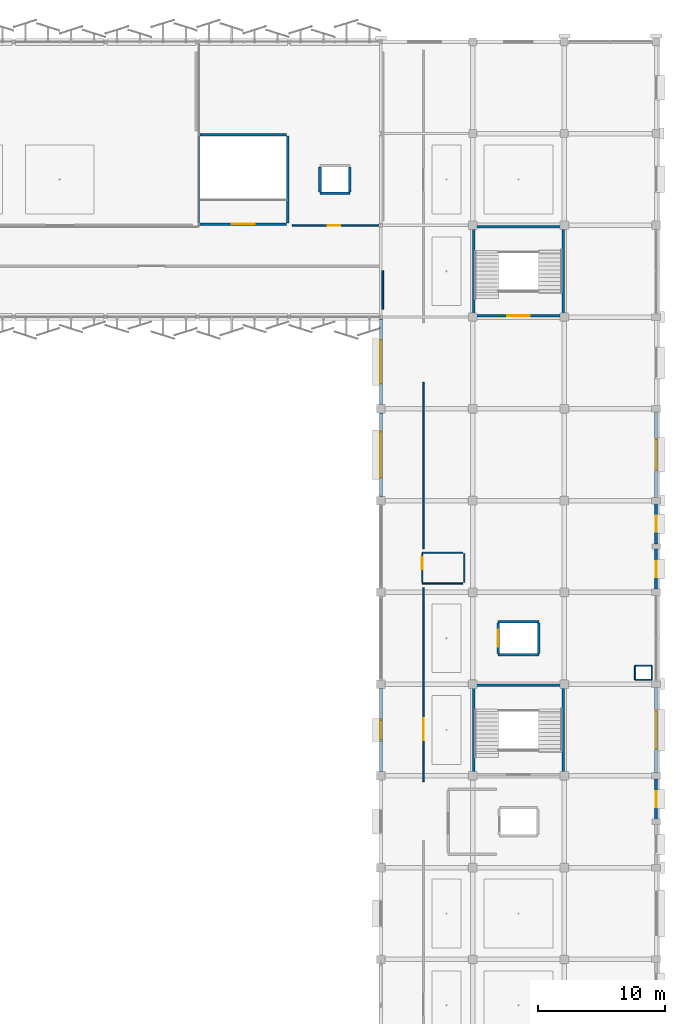
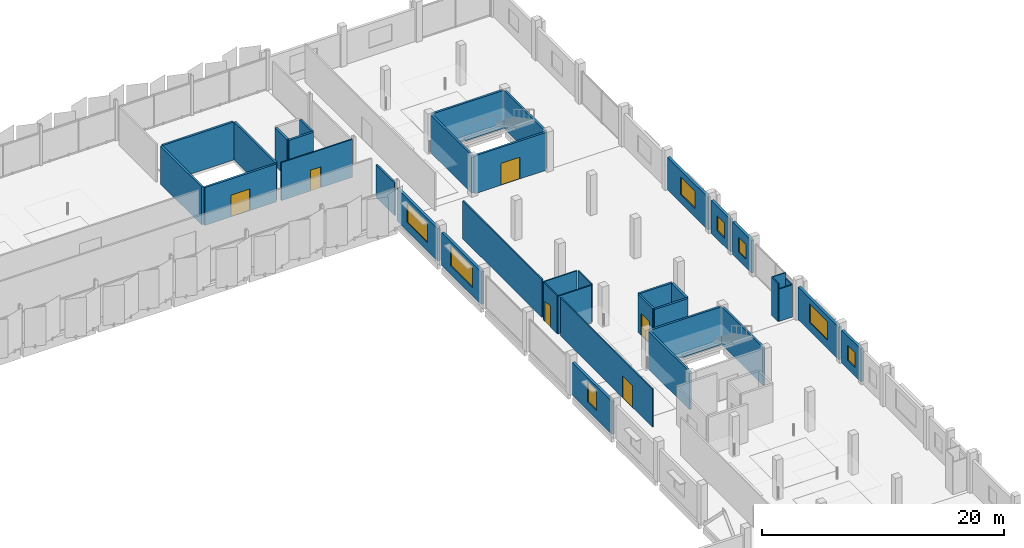
# One storey, part 58 of 77: 38 walls, 8 windows, 6 doors, 14 openings.
"""IFC4 building model written with IfcOpenShell, lengths in metres."""

from ifc_helpers import new_model, si_unit, direction, frame, frame_2d, origin, place, context, subcontext, project, spatial, rectangle, extrude, material, layer, layer_set, type_object, element, fill, save


model = new_model("IFC4")

# Units and contexts
model_context = context("Model", 3, precision=1e-05, world=origin(), true_north=direction((0.0, 1.0)))
body_context = subcontext(model_context, "Body", "Model", "MODEL_VIEW")
ifc_project = project(units=[si_unit("LENGTHUNIT", "METRE"), si_unit("AREAUNIT", "SQUARE_METRE"), si_unit("VOLUMEUNIT", "CUBIC_METRE"), si_unit("PLANEANGLEUNIT", "RADIAN"), si_unit("MASSUNIT", "GRAM", prefix="KILO")], contexts=[model_context])

# Site, building, storey
site_placement = place(None, origin())
site = spatial("IfcSite", under=ifc_project, at=site_placement, CompositionType="ELEMENT")
building_placement = place(site_placement, origin())
building = spatial("IfcBuilding", under=site, at=building_placement, Name="Kangsadwip Square Police Headquarters", CompositionType="ELEMENT")
storey_placement = place(building_placement, frame((0.0, 0.0, 17.550048828125)))
storey = spatial("IfcBuildingStorey", under=building, at=storey_placement, Name="L04", CompositionType="ELEMENT", Elevation=17.550048828125)

# Wall, opening, door
ifc_material_1 = material(Name="Fire-rated double gypsum board acoustic stud partition", Category="masonry")
ifc_layer_1 = layer(ifc_material_1, 0.1201171875)
ifc_layer_set_1 = layer_set([ifc_layer_1], Name="Fire-rated double gypsum board acoustic stud partition")
wall_type_1 = type_object("IfcWallType", Name="AcousticPartition120", PredefinedType="PARTITIONING", material=ifc_layer_set_1)
wall_1_placement = place(storey_placement, frame((137.050048828125, 100.800048828125, 0.0), z_axis=(0.0, 0.0, 1.0), x_axis=(1.0, 0.0, 0.0)))
wall_1 = element("IfcWall", 1, at=wall_1_placement, inside=storey, type_object=wall_type_1, Name="Interior Wall WI-L04-0856", PredefinedType="PARTITIONING", context=body_context, shape_type="SweptSolid", body=[
    extrude(rectangle(XDim=6.800048828125, YDim=0.1201171875, at=frame_2d((3.39990234375, 0.0))), origin(), (0.0, 0.0, 1.0), 3.829833984375),
])
opening_1_placement = place(wall_1_placement, frame((2.77392578125, 0.0, 0.0)))
opening_1 = element("IfcOpeningElement", 2, at=opening_1_placement, cuts=wall_1, Name="Opening ID-10B", PredefinedType="OPENING", context=body_context, shape_type="SweptSolid", body=[
    extrude(rectangle(XDim=1.0, YDim=2.10009765625, at=frame_2d((0.5, 1.050048828125))), frame((0.0, 0.070068359375, 0.0), z_axis=(0.0, -1.0, 0.0), x_axis=(1.0, 0.0, 0.0)), (0.0, 0.0, 1.0), 0.14013671875),
])
ifc_material_2 = material(Name="Solid-core seasoned teak hardwood architectural door", Category="wood")
door_type_1 = type_object("IfcDoorType", Name="OfficeDoor1000x2100", OperationType="NOTDEFINED", PredefinedType="DOOR", material=ifc_material_2)
door_1_placement = place(opening_1_placement, origin())
door_1 = element("IfcDoor", 3, at=door_1_placement, inside=storey, type_object=door_type_1, Name="Interior Door ID-L04-0229", OperationType="SINGLE_SWING_LEFT", OverallHeight=2.10009765625, OverallWidth=1.0, PredefinedType="DOOR", context=body_context, shape_type="SweptSolid", body=[
    extrude(rectangle(XDim=1.0, YDim=2.10009765625, at=frame_2d((0.5, 1.050048828125))), frame((0.0, 0.02490234375, 0.0), z_axis=(0.0, -1.0, 0.0), x_axis=(1.0, 0.0, 0.0)), (0.0, 0.0, 1.0), 0.050048828125),
])
fill(opening_1, door_1)

wall_2_placement = place(storey_placement, frame((147.35009765625, 57.14990234375, 0.0), z_axis=(0.0, 0.0, 1.0), x_axis=(0.0, 1.0, 0.0)))
wall_2 = element("IfcWall", 4, at=wall_2_placement, inside=storey, type_object=wall_type_1, Name="Interior Wall WI-L04-0863", PredefinedType="PARTITIONING", context=body_context, shape_type="SweptSolid", body=[
    extrude(rectangle(XDim=15.22021484375, YDim=0.1201171875, at=frame_2d((7.610107421875, 0.0))), origin(), (0.0, 0.0, 1.0), 3.829833984375),
])
opening_2_placement = place(wall_2_placement, frame((3.2548828125, 0.0, 0.0)))
opening_2 = element("IfcOpeningElement", 5, at=opening_2_placement, cuts=wall_2, Name="Opening ID-17", PredefinedType="OPENING", context=body_context, shape_type="SweptSolid", body=[
    extrude(rectangle(XDim=1.699951171875, YDim=2.199951171875, at=frame_2d((0.85009765625, 1.10009765625))), frame((0.0, 0.070068359375, 0.0), z_axis=(0.0, -1.0, 0.0), x_axis=(1.0, 0.0, 0.0)), (0.0, 0.0, 1.0), 0.14013671875),
])
ifc_material_3 = material(Name="Insulated galvanized steel fire-rated door assembly", Category="steel")
door_type_2 = type_object("IfcDoorType", Name="LabDoubleDoor1700x2200", OperationType="DOUBLE_DOOR_SINGLE_SWING", PredefinedType="DOOR", material=ifc_material_3)
door_2_placement = place(opening_2_placement, origin())
door_2 = element("IfcDoor", 6, at=door_2_placement, inside=storey, type_object=door_type_2, Name="Interior Door ID-L04-0235", OperationType="DOUBLE_DOOR_SINGLE_SWING", OverallHeight=2.199951171875, OverallWidth=1.699951171875, PredefinedType="DOOR", context=body_context, shape_type="SweptSolid", body=[
    extrude(rectangle(XDim=1.699951171875, YDim=2.199951171875, at=frame_2d((0.85009765625, 1.10009765625))), frame((0.0, 0.02490234375, 0.0), z_axis=(0.0, -1.0, 0.0), x_axis=(1.0, 0.0, 0.0)), (0.0, 0.0, 1.0), 0.050048828125),
])
fill(opening_2, door_2)

# Walls
wall_3_placement = place(storey_placement, frame((147.35009765625, 75.429931640625, 0.0), z_axis=(0.0, 0.0, 1.0), x_axis=(0.0, 1.0, 0.0)))
element("IfcWall", 7, at=wall_3_placement, inside=storey, type_object=wall_type_1, Name="Interior Wall WI-L04-0864", PredefinedType="PARTITIONING", context=body_context, shape_type="SweptSolid", body=[
    extrude(rectangle(XDim=13.070068359375, YDim=0.1201171875, at=frame_2d((6.53515625, 0.0))), origin(), (0.0, 0.0, 1.0), 3.829833984375),
])
ifc_material_4 = material(Name="Autoclaved aerated concrete blockwork masonry", Category="masonry")
ifc_layer_2 = layer(ifc_material_4, 0.14990234375)
ifc_layer_set_2 = layer_set([ifc_layer_2], Name="Autoclaved aerated concrete blockwork masonry")
wall_type_2 = type_object("IfcWallType", Name="BlockPartition150", PredefinedType="PARTITIONING", material=ifc_layer_set_2)
wall_4_placement = place(storey_placement, frame((144.14990234375, 94.199951171875, 0.0), z_axis=(0.0, 0.0, 1.0), x_axis=(0.0, 1.0, 0.0)))
element("IfcWall", 8, at=wall_4_placement, inside=storey, type_object=wall_type_2, Name="Interior Wall WI-L04-0851", PredefinedType="PARTITIONING", context=body_context, shape_type="SweptSolid", body=[
    extrude(rectangle(XDim=3.050048828125, YDim=0.14990234375, at=frame_2d((1.52490234375, 0.0))), origin(), (0.0, 0.0, 1.0), 3.300048828125),
])

# Wall, opening, window
ifc_material_5 = material(Name="Glazed architectural terracotta masonry rainscreen", Category="masonry")
ifc_layer_3 = layer(ifc_material_5, 0.25)
ifc_layer_set_3 = layer_set([ifc_layer_3], Name="Glazed architectural terracotta masonry rainscreen")
wall_type_3 = type_object("IfcWallType", Name="ChicagoTerracottaWall250", PredefinedType="SOLIDWALL", material=ifc_layer_set_3)
wall_5_placement = place(storey_placement, frame((144.0, 57.919921875, 0.0), z_axis=(0.0, 0.0, 1.0), x_axis=(0.0, 1.0, 0.0)))
wall_5 = element("IfcWall", 9, at=wall_5_placement, inside=storey, type_object=wall_type_3, Name="Exterior Wall WE-L04-460", PredefinedType="SOLIDWALL", context=body_context, shape_type="SweptSolid", body=[
    extrude(rectangle(XDim=6.56005859375, YDim=0.25, at=frame_2d((3.280029296875, 0.0))), origin(), (0.0, 0.0, 1.0), 3.294921875),
])
opening_3_placement = place(wall_5_placement, frame((2.530029296875, 0.0, 0.85009765625)))
opening_3 = element("IfcOpeningElement", 10, at=opening_3_placement, cuts=wall_5, Name="Opening WN-12", PredefinedType="OPENING", context=body_context, shape_type="SweptSolid", body=[
    extrude(rectangle(XDim=1.5, YDim=2.050048828125, at=frame_2d((0.75, 1.02490234375))), frame((0.0, 0.135009765625, 0.0), z_axis=(0.0, -1.0, 0.0), x_axis=(1.0, 0.0, 0.0)), (0.0, 0.0, 1.0), 0.27001953125),
])
ifc_material_6 = material(Name="Double-glazed solar-control low-E safety glass", Category="glass")
window_type_1 = type_object("IfcWindowType", Name="DirectorateTallWin1500x2050", PartitioningType="SINGLE_PANEL", PredefinedType="WINDOW", material=ifc_material_6)
window_1_placement = place(opening_3_placement, origin())
window_1 = element("IfcWindow", 11, at=window_1_placement, inside=storey, type_object=window_type_1, Name="Window WN-L04-0310", OverallHeight=2.050048828125, OverallWidth=1.5, PartitioningType="SINGLE_PANEL", PredefinedType="WINDOW", context=body_context, shape_type="SweptSolid", body=[
    extrude(rectangle(XDim=1.5, YDim=2.050048828125, at=frame_2d((0.75, 1.02490234375))), frame((0.0, 0.030029296875, 0.0), z_axis=(0.0, -1.0, 0.0), x_axis=(1.0, 0.0, 0.0)), (0.0, 0.0, 1.0), 0.06005859375),
])
fill(opening_3, window_1)

wall_6_placement = place(storey_placement, frame((144.0, 79.52001953125, 0.0), z_axis=(0.0, 0.0, 1.0), x_axis=(0.0, 1.0, 0.0)))
wall_6 = element("IfcWall", 12, at=wall_6_placement, inside=storey, type_object=wall_type_3, Name="Exterior Wall WE-L04-461", PredefinedType="SOLIDWALL", context=body_context, shape_type="SweptSolid", body=[
    extrude(rectangle(XDim=6.56005859375, YDim=0.25, at=frame_2d((3.280029296875, 0.0))), origin(), (0.0, 0.0, 1.0), 3.294921875),
])
opening_4_placement = place(wall_6_placement, frame((1.47998046875, 0.0, 0.85009765625)))
opening_4 = element("IfcOpeningElement", 13, at=opening_4_placement, cuts=wall_6, Name="Opening WN-01", PredefinedType="OPENING", context=body_context, shape_type="SweptSolid", body=[
    extrude(rectangle(XDim=3.60009765625, YDim=2.050048828125, at=frame_2d((1.800048828125, 1.02490234375))), frame((0.0, 0.135009765625, 0.0), z_axis=(0.0, -1.0, 0.0), x_axis=(1.0, 0.0, 0.0)), (0.0, 0.0, 1.0), 0.27001953125),
])
ifc_material_7 = material(Name="Double-glazed solar-control low-E safety glass", Category="glass")
window_type_2 = type_object("IfcWindowType", Name="ChicagoTripartiteWin3600x2050", PartitioningType="TRIPLE_PANEL_HORIZONTAL", PredefinedType="WINDOW", material=ifc_material_7)
window_2_placement = place(opening_4_placement, origin())
window_2 = element("IfcWindow", 14, at=window_2_placement, inside=storey, type_object=window_type_2, Name="Window WN-L04-0311", OverallHeight=2.050048828125, OverallWidth=3.60009765625, PartitioningType="SINGLE_PANEL", PredefinedType="WINDOW", context=body_context, shape_type="SweptSolid", body=[
    extrude(rectangle(XDim=3.60009765625, YDim=2.050048828125, at=frame_2d((1.800048828125, 1.02490234375))), frame((0.0, 0.030029296875, 0.0), z_axis=(0.0, -1.0, 0.0), x_axis=(1.0, 0.0, 0.0)), (0.0, 0.0, 1.0), 0.06005859375),
])
fill(opening_4, window_2)

wall_7_placement = place(storey_placement, frame((144.0, 86.719970703125, 0.0), z_axis=(0.0, 0.0, 1.0), x_axis=(0.0, 1.0, 0.0)))
wall_7 = element("IfcWall", 15, at=wall_7_placement, inside=storey, type_object=wall_type_3, Name="Exterior Wall WE-L04-462", PredefinedType="SOLIDWALL", context=body_context, shape_type="SweptSolid", body=[
    extrude(rectangle(XDim=6.72705078125, YDim=0.25, at=frame_2d((3.363525390625, 0.0))), origin(), (0.0, 0.0, 1.0), 3.294921875),
])
opening_5_placement = place(wall_7_placement, frame((1.66357421875, 0.0, 0.85009765625)))
opening_5 = element("IfcOpeningElement", 16, at=opening_5_placement, cuts=wall_7, Name="Opening WN-02", PredefinedType="OPENING", context=body_context, shape_type="SweptSolid", body=[
    extrude(rectangle(XDim=3.39990234375, YDim=2.0, at=frame_2d((1.699951171875, 1.0))), frame((0.0, 0.135009765625, 0.0), z_axis=(0.0, -1.0, 0.0), x_axis=(1.0, 0.0, 0.0)), (0.0, 0.0, 1.0), 0.27001953125),
])
ifc_material_8 = material(Name="Double-glazed solar-control low-E safety glass", Category="glass")
window_type_3 = type_object("IfcWindowType", Name="ChicagoTripartiteWin3400x2000", PartitioningType="TRIPLE_PANEL_HORIZONTAL", PredefinedType="WINDOW", material=ifc_material_8)
window_3_placement = place(opening_5_placement, origin())
window_3 = element("IfcWindow", 17, at=window_3_placement, inside=storey, type_object=window_type_3, Name="Window WN-L04-0312", OverallHeight=2.0, OverallWidth=3.39990234375, PartitioningType="SINGLE_PANEL", PredefinedType="WINDOW", context=body_context, shape_type="SweptSolid", body=[
    extrude(rectangle(XDim=3.39990234375, YDim=2.0, at=frame_2d((1.699951171875, 1.0))), frame((0.0, 0.030029296875, 0.0), z_axis=(0.0, -1.0, 0.0), x_axis=(1.0, 0.0, 0.0)), (0.0, 0.0, 1.0), 0.06005859375),
])
fill(opening_5, window_3)

wall_8_placement = place(storey_placement, frame((165.60009765625, 54.195068359375, 0.0), z_axis=(0.0, 0.0, 1.0), x_axis=(0.0, 1.0, 0.0)))
wall_8 = element("IfcWall", 18, at=wall_8_placement, inside=storey, type_object=wall_type_3, Name="Exterior Wall WE-L04-469", PredefinedType="SOLIDWALL", context=body_context, shape_type="SweptSolid", body=[
    extrude(rectangle(XDim=3.159912109375, YDim=0.25, at=frame_2d((1.580078125, 0.0))), origin(), (0.0, 0.0, 1.0), 3.294921875),
])
opening_6_placement = place(wall_8_placement, frame((0.955078125, 0.0, 0.85009765625)))
opening_6 = element("IfcOpeningElement", 19, at=opening_6_placement, cuts=wall_8, Name="Opening WN-14", PredefinedType="OPENING", context=body_context, shape_type="SweptSolid", body=[
    extrude(rectangle(XDim=1.25, YDim=1.5, at=frame_2d((0.625, 0.75))), frame((0.0, 0.135009765625, 0.0), z_axis=(0.0, -1.0, 0.0), x_axis=(1.0, 0.0, 0.0)), (0.0, 0.0, 1.0), 0.27001953125),
])
ifc_material_9 = material(Name="Double-glazed solar-control low-E safety glass", Category="glass")
window_type_4 = type_object("IfcWindowType", Name="OfficeCasementWin1250x1500", PartitioningType="SINGLE_PANEL", PredefinedType="WINDOW", material=ifc_material_9)
window_4_placement = place(opening_6_placement, origin())
window_4 = element("IfcWindow", 20, at=window_4_placement, inside=storey, type_object=window_type_4, Name="Window WN-L04-0319", OverallHeight=1.5, OverallWidth=1.25, PartitioningType="SINGLE_PANEL", PredefinedType="WINDOW", context=body_context, shape_type="SweptSolid", body=[
    extrude(rectangle(XDim=1.25, YDim=1.5, at=frame_2d((0.625, 0.75))), frame((0.0, 0.030029296875, 0.0), z_axis=(0.0, -1.0, 0.0), x_axis=(1.0, 0.0, 0.0)), (0.0, 0.0, 1.0), 0.06005859375),
])
fill(opening_6, window_4)

wall_9_placement = place(storey_placement, frame((165.60009765625, 57.844970703125, 0.0), z_axis=(0.0, 0.0, 1.0), x_axis=(0.0, 1.0, 0.0)))
wall_9 = element("IfcWall", 21, at=wall_9_placement, inside=storey, type_object=wall_type_3, Name="Exterior Wall WE-L04-470", PredefinedType="SOLIDWALL", context=body_context, shape_type="SweptSolid", body=[
    extrude(rectangle(XDim=6.7099609375, YDim=0.25, at=frame_2d((3.35498046875, 0.0))), origin(), (0.0, 0.0, 1.0), 3.294921875),
])
opening_7_placement = place(wall_9_placement, frame((1.85498046875, 0.0, 0.85009765625)))
opening_7 = element("IfcOpeningElement", 22, at=opening_7_placement, cuts=wall_9, Name="Opening WN-04", PredefinedType="OPENING", context=body_context, shape_type="SweptSolid", body=[
    extrude(rectangle(XDim=3.0, YDim=1.89990234375, at=frame_2d((1.5, 0.949951171875))), frame((0.0, 0.135009765625, 0.0), z_axis=(0.0, -1.0, 0.0), x_axis=(1.0, 0.0, 0.0)), (0.0, 0.0, 1.0), 0.27001953125),
])
ifc_material_10 = material(Name="Double-glazed solar-control low-E safety glass", Category="glass")
window_type_5 = type_object("IfcWindowType", Name="ChicagoTripartiteWin3000x1900", PartitioningType="TRIPLE_PANEL_HORIZONTAL", PredefinedType="WINDOW", material=ifc_material_10)
window_5_placement = place(opening_7_placement, origin())
window_5 = element("IfcWindow", 23, at=window_5_placement, inside=storey, type_object=window_type_5, Name="Window WN-L04-0320", OverallHeight=1.89990234375, OverallWidth=3.0, PartitioningType="SINGLE_PANEL", PredefinedType="WINDOW", context=body_context, shape_type="SweptSolid", body=[
    extrude(rectangle(XDim=3.0, YDim=1.89990234375, at=frame_2d((1.5, 0.949951171875))), frame((0.0, 0.030029296875, 0.0), z_axis=(0.0, -1.0, 0.0), x_axis=(1.0, 0.0, 0.0)), (0.0, 0.0, 1.0), 0.06005859375),
])
fill(opening_7, window_5)

wall_10_placement = place(storey_placement, frame((165.60009765625, 72.2451171875, 0.0), z_axis=(0.0, 0.0, 1.0), x_axis=(0.0, 1.0, 0.0)))
wall_10 = element("IfcWall", 24, at=wall_10_placement, inside=storey, type_object=wall_type_3, Name="Exterior Wall WE-L04-471", PredefinedType="SOLIDWALL", context=body_context, shape_type="SweptSolid", body=[
    extrude(rectangle(XDim=3.159912109375, YDim=0.25, at=frame_2d((1.580078125, 0.0))), origin(), (0.0, 0.0, 1.0), 3.294921875),
])
opening_8_placement = place(wall_10_placement, frame((0.955078125, 0.0, 0.85009765625)))
opening_8 = element("IfcOpeningElement", 25, at=opening_8_placement, cuts=wall_10, Name="Opening WN-14", PredefinedType="OPENING", context=body_context, shape_type="SweptSolid", body=[
    extrude(rectangle(XDim=1.25, YDim=1.5, at=frame_2d((0.625, 0.75))), frame((0.0, 0.135009765625, 0.0), z_axis=(0.0, -1.0, 0.0), x_axis=(1.0, 0.0, 0.0)), (0.0, 0.0, 1.0), 0.27001953125),
])
window_6_placement = place(opening_8_placement, origin())
window_6 = element("IfcWindow", 26, at=window_6_placement, inside=storey, type_object=window_type_4, Name="Window WN-L04-0321", OverallHeight=1.5, OverallWidth=1.25, PartitioningType="SINGLE_PANEL", PredefinedType="WINDOW", context=body_context, shape_type="SweptSolid", body=[
    extrude(rectangle(XDim=1.25, YDim=1.5, at=frame_2d((0.625, 0.75))), frame((0.0, 0.030029296875, 0.0), z_axis=(0.0, -1.0, 0.0), x_axis=(1.0, 0.0, 0.0)), (0.0, 0.0, 1.0), 0.06005859375),
])
fill(opening_8, window_6)

wall_11_placement = place(storey_placement, frame((165.60009765625, 75.794921875, 0.0), z_axis=(0.0, 0.0, 1.0), x_axis=(0.0, 1.0, 0.0)))
wall_11 = element("IfcWall", 27, at=wall_11_placement, inside=storey, type_object=wall_type_3, Name="Exterior Wall WE-L04-472", PredefinedType="SOLIDWALL", context=body_context, shape_type="SweptSolid", body=[
    extrude(rectangle(XDim=3.16015625, YDim=0.25, at=frame_2d((1.580078125, 0.0))), origin(), (0.0, 0.0, 1.0), 3.294921875),
])
opening_9_placement = place(wall_11_placement, frame((0.955078125, 0.0, 0.85009765625)))
opening_9 = element("IfcOpeningElement", 28, at=opening_9_placement, cuts=wall_11, Name="Opening WN-14", PredefinedType="OPENING", context=body_context, shape_type="SweptSolid", body=[
    extrude(rectangle(XDim=1.25, YDim=1.5, at=frame_2d((0.625, 0.75))), frame((0.0, 0.135009765625, 0.0), z_axis=(0.0, -1.0, 0.0), x_axis=(1.0, 0.0, 0.0)), (0.0, 0.0, 1.0), 0.27001953125),
])
window_7_placement = place(opening_9_placement, origin())
window_7 = element("IfcWindow", 29, at=window_7_placement, inside=storey, type_object=window_type_4, Name="Window WN-L04-0322", OverallHeight=1.5, OverallWidth=1.25, PartitioningType="SINGLE_PANEL", PredefinedType="WINDOW", context=body_context, shape_type="SweptSolid", body=[
    extrude(rectangle(XDim=1.25, YDim=1.5, at=frame_2d((0.625, 0.75))), frame((0.0, 0.030029296875, 0.0), z_axis=(0.0, -1.0, 0.0), x_axis=(1.0, 0.0, 0.0)), (0.0, 0.0, 1.0), 0.06005859375),
])
fill(opening_9, window_7)

wall_12_placement = place(storey_placement, frame((165.60009765625, 79.445068359375, 0.0), z_axis=(0.0, 0.0, 1.0), x_axis=(0.0, 1.0, 0.0)))
wall_12 = element("IfcWall", 30, at=wall_12_placement, inside=storey, type_object=wall_type_3, Name="Exterior Wall WE-L04-473", PredefinedType="SOLIDWALL", context=body_context, shape_type="SweptSolid", body=[
    extrude(rectangle(XDim=6.7099609375, YDim=0.25, at=frame_2d((3.35498046875, 0.0))), origin(), (0.0, 0.0, 1.0), 3.294921875),
])
opening_10_placement = place(wall_12_placement, frame((2.155029296875, 0.0, 0.85009765625)))
opening_10 = element("IfcOpeningElement", 31, at=opening_10_placement, cuts=wall_12, Name="Opening WN-07", PredefinedType="OPENING", context=body_context, shape_type="SweptSolid", body=[
    extrude(rectangle(XDim=2.39990234375, YDim=1.75, at=frame_2d((1.199951171875, 0.875))), frame((0.0, 0.135009765625, 0.0), z_axis=(0.0, -1.0, 0.0), x_axis=(1.0, 0.0, 0.0)), (0.0, 0.0, 1.0), 0.27001953125),
])
ifc_material_11 = material(Name="Double-glazed solar-control low-E safety glass", Category="glass")
window_type_6 = type_object("IfcWindowType", Name="ChicagoDoubleMullWin2400x1750", PartitioningType="DOUBLE_PANEL_VERTICAL", PredefinedType="WINDOW", material=ifc_material_11)
window_8_placement = place(opening_10_placement, origin())
window_8 = element("IfcWindow", 32, at=window_8_placement, inside=storey, type_object=window_type_6, Name="Window WN-L04-0323", OverallHeight=1.75, OverallWidth=2.39990234375, PartitioningType="SINGLE_PANEL", PredefinedType="WINDOW", context=body_context, shape_type="SweptSolid", body=[
    extrude(rectangle(XDim=2.39990234375, YDim=1.75, at=frame_2d((1.199951171875, 0.875))), frame((0.0, 0.030029296875, 0.0), z_axis=(0.0, -1.0, 0.0), x_axis=(1.0, 0.0, 0.0)), (0.0, 0.0, 1.0), 0.06005859375),
])
fill(opening_10, window_8)

# Walls
ifc_material_12 = material(Name="Concrete M40 (40 MPa)", Category="concrete")
ifc_layer_4 = layer(ifc_material_12, 0.199951171875)
ifc_layer_set_4 = layer_set([ifc_layer_4], Name="Concrete M40 (40 MPa)")
wall_type_4 = type_object("IfcWallType", Name="CoreShearWall200", PredefinedType="SHEAR", material=ifc_layer_set_4)
for number, where, z_axis, x_axis, name in (
    (33, (151.39990234375, 64.699951171875, 0.0), (0.0, 0.0, 1.0), (1.0, 0.0, 0.0), "Interior Wall WI-L04-0110"),
    (34, (151.300048828125, 57.800048828125, 0.0), (0.0, 0.0, 1.0), (0.0, 1.0, 0.0), "Interior Wall WI-L04-0111"),
    (35, (158.300048828125, 57.800048828125, 0.0), (0.0, 0.0, 1.0), (0.0, 1.0, 0.0), "Interior Wall WI-L04-0112"),
):
    element("IfcWall", number, at=place(storey_placement, frame(where, z_axis=z_axis, x_axis=x_axis)), inside=storey, type_object=wall_type_4, Name=name, PredefinedType="SHEAR", context=body_context, shape_type="SweptSolid", body=[
        extrude(rectangle(XDim=6.800048828125, YDim=0.199951171875, at=frame_2d((3.39990234375, 0.0))), origin(), (0.0, 0.0, 1.0), 3.829833984375),
    ])

# Wall, opening, door
wall_13_placement = place(storey_placement, frame((151.39990234375, 93.699951171875, 0.0), z_axis=(0.0, 0.0, 1.0), x_axis=(1.0, 0.0, 0.0)))
wall_13 = element("IfcWall", 36, at=wall_13_placement, inside=storey, type_object=wall_type_4, Name="Interior Wall WI-L04-0145", PredefinedType="SHEAR", context=body_context, shape_type="SweptSolid", body=[
    extrude(rectangle(XDim=6.800048828125, YDim=0.199951171875, at=frame_2d((3.39990234375, 0.0))), origin(), (0.0, 0.0, 1.0), 3.829833984375),
])
opening_11_placement = place(wall_13_placement, frame((2.5, 0.0, 0.0)))
opening_11 = element("IfcOpeningElement", 37, at=opening_11_placement, cuts=wall_13, Name="Opening FD-18", PredefinedType="OPENING", context=body_context, shape_type="SweptSolid", body=[
    extrude(rectangle(XDim=1.800048828125, YDim=2.199951171875, at=frame_2d((0.89990234375, 1.10009765625))), frame((0.0, 0.10986328125, 0.0), z_axis=(0.0, -1.0, 0.0), x_axis=(1.0, 0.0, 0.0)), (0.0, 0.0, 1.0), 0.219970703125),
])
ifc_material_13 = material(Name="Insulated galvanized steel fire-rated door assembly", Category="steel")
door_type_3 = type_object("IfcDoorType", Name="StairFireDoor1800x2200", OperationType="DOUBLE_DOOR_SINGLE_SWING", PredefinedType="DOOR", material=ifc_material_13)
door_3_placement = place(opening_11_placement, origin())
door_3 = element("IfcDoor", 38, at=door_3_placement, inside=storey, type_object=door_type_3, Name="Interior Door ID-L04-0033", OperationType="DOUBLE_DOOR_SINGLE_SWING", OverallHeight=2.199951171875, OverallWidth=1.800048828125, PredefinedType="DOOR", context=body_context, shape_type="SweptSolid", body=[
    extrude(rectangle(XDim=1.800048828125, YDim=2.199951171875, at=frame_2d((0.89990234375, 1.10009765625))), frame((0.0, 0.02490234375, 0.0), z_axis=(0.0, -1.0, 0.0), x_axis=(1.0, 0.0, 0.0)), (0.0, 0.0, 1.0), 0.050048828125),
])
fill(opening_11, door_3)

# Walls
for number, where, z_axis, x_axis, name in (
    (39, (151.39990234375, 100.699951171875, 0.0), (0.0, 0.0, 1.0), (1.0, 0.0, 0.0), "Interior Wall WI-L04-0146"),
    (40, (151.300048828125, 93.800048828125, 0.0), (0.0, 0.0, 1.0), (0.0, 1.0, 0.0), "Interior Wall WI-L04-0147"),
    (41, (158.300048828125, 93.800048828125, 0.0), (0.0, 0.0, 1.0), (0.0, 1.0, 0.0), "Interior Wall WI-L04-0148"),
):
    element("IfcWall", number, at=place(storey_placement, frame(where, z_axis=z_axis, x_axis=x_axis)), inside=storey, type_object=wall_type_4, Name=name, PredefinedType="SHEAR", context=body_context, shape_type="SweptSolid", body=[
        extrude(rectangle(XDim=6.800048828125, YDim=0.199951171875, at=frame_2d((3.39990234375, 0.0))), origin(), (0.0, 0.0, 1.0), 3.829833984375),
    ])

# Wall, opening, door
wall_14_placement = place(storey_placement, frame((129.800048828125, 100.89990234375, 0.0), z_axis=(0.0, 0.0, 1.0), x_axis=(1.0, 0.0, 0.0)))
wall_14 = element("IfcWall", 42, at=wall_14_placement, inside=storey, type_object=wall_type_4, Name="Interior Wall WI-L04-0173", PredefinedType="SHEAR", context=body_context, shape_type="SweptSolid", body=[
    extrude(rectangle(XDim=6.800048828125, YDim=0.199951171875, at=frame_2d((3.39990234375, 0.0))), origin(), (0.0, 0.0, 1.0), 3.829833984375),
])
opening_12_placement = place(wall_14_placement, frame((2.5, 0.0, 0.0)))
opening_12 = element("IfcOpeningElement", 43, at=opening_12_placement, cuts=wall_14, Name="Opening FD-18", PredefinedType="OPENING", context=body_context, shape_type="SweptSolid", body=[
    extrude(rectangle(XDim=1.800048828125, YDim=2.199951171875, at=frame_2d((0.89990234375, 1.10009765625))), frame((0.0, 0.10986328125, 0.0), z_axis=(0.0, -1.0, 0.0), x_axis=(1.0, 0.0, 0.0)), (0.0, 0.0, 1.0), 0.219970703125),
])
door_4_placement = place(opening_12_placement, origin())
door_4 = element("IfcDoor", 44, at=door_4_placement, inside=storey, type_object=door_type_3, Name="Interior Door ID-L04-0039", OperationType="DOUBLE_DOOR_SINGLE_SWING", OverallHeight=2.199951171875, OverallWidth=1.800048828125, PredefinedType="DOOR", context=body_context, shape_type="SweptSolid", body=[
    extrude(rectangle(XDim=1.800048828125, YDim=2.199951171875, at=frame_2d((0.89990234375, 1.10009765625))), frame((0.0, 0.02490234375, 0.0), z_axis=(0.0, -1.0, 0.0), x_axis=(1.0, 0.0, 0.0)), (0.0, 0.0, 1.0), 0.050048828125),
])
fill(opening_12, door_4)

# Walls
for number, where, z_axis, x_axis, name in (
    (45, (129.800048828125, 107.89990234375, 0.0), (0.0, 0.0, 1.0), (1.0, 0.0, 0.0), "Interior Wall WI-L04-0174"),
    (46, (129.699951171875, 101.0, 0.0), (0.0, 0.0, 1.0), (0.0, 1.0, 0.0), "Interior Wall WI-L04-0175"),
    (47, (136.699951171875, 101.0, 0.0), (0.0, 0.0, 1.0), (0.0, 1.0, 0.0), "Interior Wall WI-L04-0176"),
):
    element("IfcWall", number, at=place(storey_placement, frame(where, z_axis=z_axis, x_axis=x_axis)), inside=storey, type_object=wall_type_4, Name=name, PredefinedType="SHEAR", context=body_context, shape_type="SweptSolid", body=[
        extrude(rectangle(XDim=6.800048828125, YDim=0.199951171875, at=frame_2d((3.39990234375, 0.0))), origin(), (0.0, 0.0, 1.0), 3.829833984375),
    ])
for number, where, z_axis, x_axis, name in (
    (48, (153.199951171875, 67.10009765625, 0.0), (0.0, 0.0, 1.0), (1.0, 0.0, 0.0), "Interior Wall WI-L04-0447"),
    (49, (153.199951171875, 69.699951171875, 0.0), (0.0, 0.0, 1.0), (1.0, 0.0, 0.0), "Interior Wall WI-L04-0448"),
):
    element("IfcWall", number, at=place(storey_placement, frame(where, z_axis=z_axis, x_axis=x_axis)), inside=storey, type_object=wall_type_4, Name=name, PredefinedType="SHEAR", context=body_context, shape_type="SweptSolid", body=[
        extrude(rectangle(XDim=3.199951171875, YDim=0.199951171875, at=frame_2d((1.60009765625, 0.0))), origin(), (0.0, 0.0, 1.0), 3.829833984375),
    ])

# Wall, opening, door
wall_15_placement = place(storey_placement, frame((153.199951171875, 67.199951171875, 0.0), z_axis=(0.0, 0.0, 1.0), x_axis=(0.0, 1.0, 0.0)))
wall_15 = element("IfcWall", 50, at=wall_15_placement, inside=storey, type_object=wall_type_4, Name="Interior Wall WI-L04-0449", PredefinedType="SHEAR", context=body_context, shape_type="SweptSolid", body=[
    extrude(rectangle(XDim=2.400146484375, YDim=0.199951171875, at=frame_2d((1.2001953125, 0.0))), origin(), (0.0, 0.0, 1.0), 3.829833984375),
])
opening_13_placement = place(wall_15_placement, frame((0.52490234375, 0.0, 0.0)))
opening_13 = element("IfcOpeningElement", 51, at=opening_13_placement, cuts=wall_15, Name="Opening LD-050", PredefinedType="OPENING", context=body_context, shape_type="SweptSolid", body=[
    extrude(rectangle(XDim=1.35009765625, YDim=2.199951171875, at=frame_2d((0.675048828125, 1.10009765625))), frame((0.0, 0.10986328125, 0.0), z_axis=(0.0, -1.0, 0.0), x_axis=(1.0, 0.0, 0.0)), (0.0, 0.0, 1.0), 0.219970703125),
])
ifc_material_14 = material(Name="Brushed stainless steel automatic sliding lift landing door", Category="steel")
door_type_4 = type_object("IfcDoorType", Name="LiftLandingDoor1350x2200", OperationType="DOUBLE_DOOR_SLIDING", PredefinedType="DOOR", material=ifc_material_14)
door_5_placement = place(opening_13_placement, origin())
door_5 = element("IfcDoor", 52, at=door_5_placement, inside=storey, type_object=door_type_4, Name="Interior Door LD-050", OperationType="DOUBLE_DOOR_SLIDING", OverallHeight=2.199951171875, OverallWidth=1.35009765625, PredefinedType="DOOR", context=body_context, shape_type="SweptSolid", body=[
    extrude(rectangle(XDim=1.35009765625, YDim=2.199951171875, at=frame_2d((0.675048828125, 1.10009765625))), frame((0.0, 0.02490234375, 0.0), z_axis=(0.0, -1.0, 0.0), x_axis=(1.0, 0.0, 0.0)), (0.0, 0.0, 1.0), 0.050048828125),
])
fill(opening_13, door_5)

# Walls
wall_16_placement = place(storey_placement, frame((156.39990234375, 67.199951171875, 0.0), z_axis=(0.0, 0.0, 1.0), x_axis=(0.0, 1.0, 0.0)))
element("IfcWall", 53, at=wall_16_placement, inside=storey, type_object=wall_type_4, Name="Interior Wall WI-L04-0450", PredefinedType="SHEAR", context=body_context, shape_type="SweptSolid", body=[
    extrude(rectangle(XDim=2.400146484375, YDim=0.199951171875, at=frame_2d((1.2001953125, 0.0))), origin(), (0.0, 0.0, 1.0), 3.829833984375),
])
wall_17_placement = place(storey_placement, frame((139.22509765625, 103.324951171875, 0.0), z_axis=(0.0, 0.0, 1.0), x_axis=(1.0, 0.0, 0.0)))
element("IfcWall", 54, at=wall_17_placement, inside=storey, type_object=wall_type_4, Name="Interior Wall WI-L04-0479", PredefinedType="SHEAR", context=body_context, shape_type="SweptSolid", body=[
    extrude(rectangle(XDim=2.349853515625, YDim=0.199951171875, at=frame_2d((1.1748046875, 0.0))), origin(), (0.0, 0.0, 1.0), 3.829833984375),
])
for number, where, z_axis, x_axis, name in (
    (55, (139.22509765625, 103.425048828125, 0.0), (0.0, 0.0, 1.0), (0.0, 1.0, 0.0), "Interior Wall WI-L04-0481"),
    (56, (141.574951171875, 103.425048828125, 0.0), (0.0, 0.0, 1.0), (0.0, 1.0, 0.0), "Interior Wall WI-L04-0482"),
):
    element("IfcWall", number, at=place(storey_placement, frame(where, z_axis=z_axis, x_axis=x_axis)), inside=storey, type_object=wall_type_4, Name=name, PredefinedType="SHEAR", context=body_context, shape_type="SweptSolid", body=[
        extrude(rectangle(XDim=1.949951171875, YDim=0.199951171875, at=frame_2d((0.97509765625, 0.0))), origin(), (0.0, 0.0, 1.0), 3.829833984375),
    ])
ifc_material_15 = material(Name="Autoclaved aerated concrete blockwork masonry", Category="masonry")
ifc_layer_5 = layer(ifc_material_15, 0.10009765625)
ifc_layer_set_5 = layer_set([ifc_layer_5], Name="Autoclaved aerated concrete blockwork masonry")
wall_type_5 = type_object("IfcWallType", Name="WetWallPartition100", PredefinedType="PARTITIONING", material=ifc_layer_set_5)
wall_18_placement = place(storey_placement, frame((163.949951171875, 65.14990234375, 0.0), z_axis=(0.0, 0.0, 1.0), x_axis=(1.0, 0.0, 0.0)))
element("IfcWall", 57, at=wall_18_placement, inside=storey, type_object=wall_type_5, Name="Interior Wall WI-L04-0623", PredefinedType="PARTITIONING", context=body_context, shape_type="SweptSolid", body=[
    extrude(rectangle(XDim=1.300048828125, YDim=0.10009765625, at=frame_2d((0.64990234375, 0.0))), origin(), (0.0, 0.0, 1.0), 3.27001953125),
])
wall_19_placement = place(storey_placement, frame((163.949951171875, 66.25, 0.0), z_axis=(0.0, 0.0, 1.0), x_axis=(1.0, 0.0, 0.0)))
element("IfcWall", 58, at=wall_19_placement, inside=storey, type_object=wall_type_5, Name="Interior Wall WI-L04-0624", PredefinedType="PARTITIONING", context=body_context, shape_type="SweptSolid", body=[
    extrude(rectangle(XDim=1.300048828125, YDim=0.10009765625, at=frame_2d((0.64990234375, 0.0))), origin(), (0.0, 0.0, 1.0), 3.829833984375),
])
wall_20_placement = place(storey_placement, frame((163.949951171875, 65.14990234375, 0.0), z_axis=(0.0, 0.0, 1.0), x_axis=(0.0, 1.0, 0.0)))
element("IfcWall", 59, at=wall_20_placement, inside=storey, type_object=wall_type_5, Name="Interior Wall WI-L04-0625", PredefinedType="PARTITIONING", context=body_context, shape_type="SweptSolid", body=[
    extrude(rectangle(XDim=1.10009765625, YDim=0.10009765625, at=frame_2d((0.550048828125, 0.0))), origin(), (0.0, 0.0, 1.0), 3.829833984375),
])
wall_21_placement = place(storey_placement, frame((165.25, 65.14990234375, 0.0), z_axis=(0.0, 0.0, 1.0), x_axis=(0.0, 1.0, 0.0)))
element("IfcWall", 60, at=wall_21_placement, inside=storey, type_object=wall_type_5, Name="Interior Wall WI-L04-0626", PredefinedType="PARTITIONING", context=body_context, shape_type="SweptSolid", body=[
    extrude(rectangle(XDim=1.10009765625, YDim=0.10009765625, at=frame_2d((0.550048828125, 0.0))), origin(), (0.0, 0.0, 1.0), 3.300048828125),
])

# Wall, opening, door
wall_22_placement = place(storey_placement, frame((147.25, 72.780029296875, 0.0), z_axis=(0.0, 0.0, 1.0), x_axis=(0.0, 1.0, 0.0)))
wall_22 = element("IfcWall", 61, at=wall_22_placement, inside=storey, type_object=wall_type_5, Name="Interior Wall WI-L04-0847", PredefinedType="PARTITIONING", context=body_context, shape_type="SweptSolid", body=[
    extrude(rectangle(XDim=2.239990234375, YDim=0.10009765625, at=frame_2d((1.1201171875, 0.0))), origin(), (0.0, 0.0, 1.0), 3.829833984375),
])
opening_14_placement = place(wall_22_placement, frame((1.0400390625, 0.0, 0.0)))
opening_14 = element("IfcOpeningElement", 62, at=opening_14_placement, cuts=wall_22, Name="Opening WD-09A", PredefinedType="OPENING", context=body_context, shape_type="SweptSolid", body=[
    extrude(rectangle(XDim=0.949951171875, YDim=2.10009765625, at=frame_2d((0.47509765625, 1.050048828125))), frame((0.0, 0.06005859375, 0.0), z_axis=(0.0, -1.0, 0.0), x_axis=(1.0, 0.0, 0.0)), (0.0, 0.0, 1.0), 0.1201171875),
])
ifc_material_16 = material(Name="Solid-core seasoned teak hardwood architectural door", Category="wood")
door_type_5 = type_object("IfcDoorType", Name="AccessibleWcDoor950x2100", OperationType="NOTDEFINED", PredefinedType="DOOR", material=ifc_material_16)
door_6_placement = place(opening_14_placement, origin())
door_6 = element("IfcDoor", 63, at=door_6_placement, inside=storey, type_object=door_type_5, Name="Interior Door ID-L04-0226", OperationType="SINGLE_SWING_RIGHT", OverallHeight=2.10009765625, OverallWidth=0.949951171875, PredefinedType="DOOR", context=body_context, shape_type="SweptSolid", body=[
    extrude(rectangle(XDim=0.949951171875, YDim=2.10009765625, at=frame_2d((0.47509765625, 1.050048828125))), frame((0.0, 0.02490234375, 0.0), z_axis=(0.0, -1.0, 0.0), x_axis=(1.0, 0.0, 0.0)), (0.0, 0.0, 1.0), 0.050048828125),
])
fill(opening_14, door_6)

# Walls
for number, where, z_axis, x_axis, name in (
    (64, (147.25, 72.699951171875, 0.0), (0.0, 0.0, 1.0), (1.0, 0.0, 0.0), "Interior Wall WI-L04-0848"),
    (65, (147.25, 75.10009765625, 0.0), (0.0, 0.0, 1.0), (1.0, 0.0, 0.0), "Interior Wall WI-L04-0849"),
):
    element("IfcWall", number, at=place(storey_placement, frame(where, z_axis=z_axis, x_axis=x_axis)), inside=storey, type_object=wall_type_5, Name=name, PredefinedType="PARTITIONING", context=body_context, shape_type="SweptSolid", body=[
        extrude(rectangle(XDim=3.179931640625, YDim=0.10009765625, at=frame_2d((1.58984375, 0.0))), origin(), (0.0, 0.0, 1.0), 3.829833984375),
    ])
wall_23_placement = place(storey_placement, frame((150.550048828125, 72.780029296875, 0.0), z_axis=(0.0, 0.0, 1.0), x_axis=(0.0, 1.0, 0.0)))
element("IfcWall", 66, at=wall_23_placement, inside=storey, type_object=wall_type_5, Name="Interior Wall WI-L04-0850", PredefinedType="PARTITIONING", context=body_context, shape_type="SweptSolid", body=[
    extrude(rectangle(XDim=2.239990234375, YDim=0.10009765625, at=frame_2d((1.1201171875, 0.0))), origin(), (0.0, 0.0, 1.0), 3.829833984375),
])

save(model, "model.ifc")
